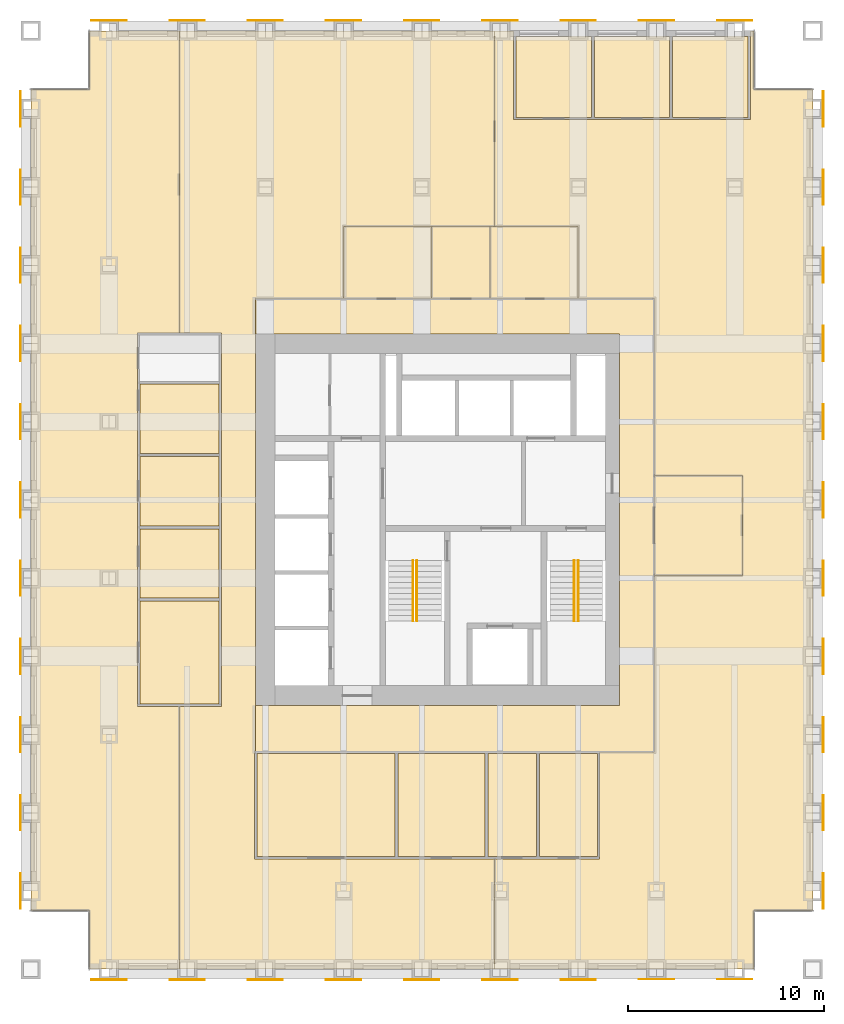
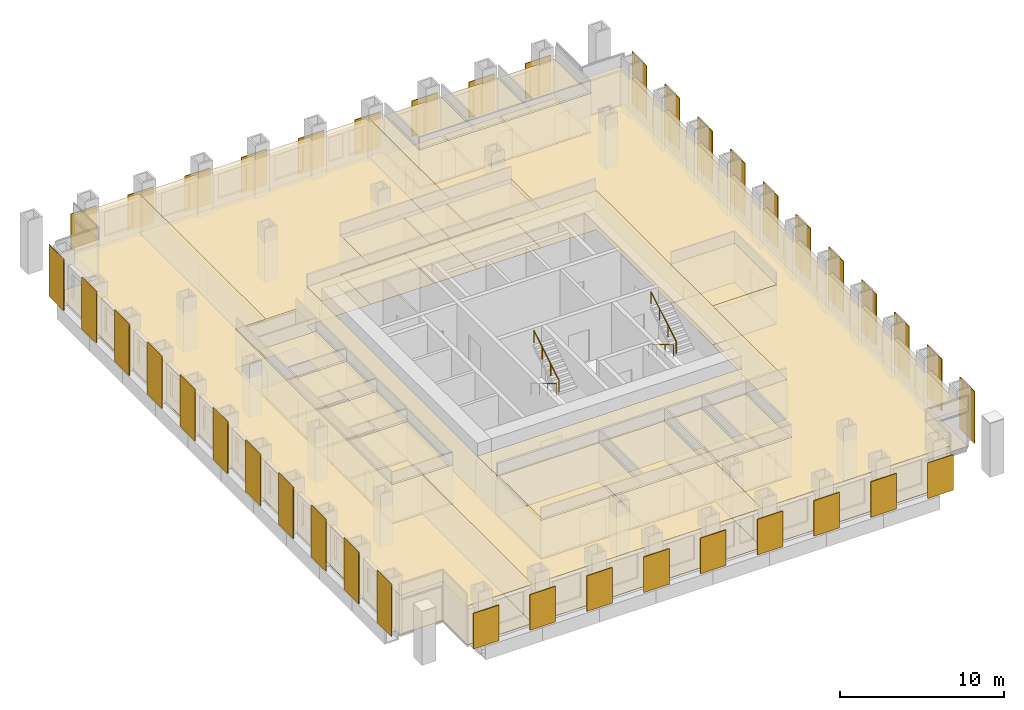
# One storey, part 12 of 12: 40 shading devices, 37 coverings, 4 railings.
"""IFC4 building model written with IfcOpenShell, lengths in metres."""

from ifc_helpers import new_model, si_unit, direction, frame, origin, origin_2d, place, context, subcontext, project, spatial, polyline, rectangle, circle, outline, extrude, material, layer, layer_set, type_object, element, save


model = new_model("IFC4")

# Units and contexts
model_context = context("Model", 3, precision=1e-05, world=origin(), true_north=direction((0.0, 1.0)))
body_context = subcontext(model_context, "Body", "Model", "MODEL_VIEW")
ifc_project = project(units=[si_unit("LENGTHUNIT", "METRE"), si_unit("AREAUNIT", "SQUARE_METRE"), si_unit("VOLUMEUNIT", "CUBIC_METRE"), si_unit("PLANEANGLEUNIT", "RADIAN"), si_unit("MASSUNIT", "GRAM", prefix="KILO")], contexts=[model_context])

# Site, building, storey
site_placement = place(None, origin())
site = spatial("IfcSite", under=ifc_project, at=site_placement, CompositionType="ELEMENT")
building_placement = place(site_placement, origin())
building = spatial("IfcBuilding", under=site, at=building_placement, Name="Rimbunsela Tower", CompositionType="ELEMENT")
storey_placement = place(building_placement, frame((0.0, 0.0, 167.800048828125)))
storey = spatial("IfcBuildingStorey", under=building, at=storey_placement, Name="L40", CompositionType="ELEMENT", Elevation=167.800048828125)

# Coverings
ifc_material_1 = material(Name="Nylon carpet tile", Category="textile")
ifc_layer_1 = layer(ifc_material_1, 0.010009765625)
ifc_layer_set_1 = layer_set([ifc_layer_1], Name="Carpet tile 10")
covering_type_1 = type_object("IfcCoveringType", Name="Carpet tile 10", PredefinedType="FLOORING", material=ifc_layer_set_1)
covering_1_placement = place(storey_placement, origin())
element("IfcCovering", 1, at=covering_1_placement, inside=storey, type_object=covering_type_1, Name="Floor finish Open office", PredefinedType="FLOORING", context=body_context, shape_type="SweptSolid", body=[
    extrude(outline(polyline([(29.72509765625, 52.0), (30.699951171875, 52.0), (30.699951171875, 47.449951171875), (34.699951171875, 47.449951171875), (34.800048828125, 47.449951171875), (37.89990234375, 47.449951171875), (38.699951171875, 47.449951171875), (38.800048828125, 47.449951171875), (42.800048828125, 47.449951171875), (42.800048828125, 52.0), (43.0, 52.0), (43.0, 49.0), (46.0, 49.0), (46.0, 7.0), (43.0, 7.0), (43.0, 4.0), (37.89990234375, 4.0), (29.72509765625, 4.0), (29.72509765625, 9.64990234375), (31.89990234375, 9.64990234375), (32.0, 9.64990234375), (35.10009765625, 9.64990234375), (35.10009765625, 15.10009765625), (37.89990234375, 15.10009765625), (37.89990234375, 24.14990234375), (42.39990234375, 24.14990234375), (42.39990234375, 29.25), (37.89990234375, 29.25), (37.89990234375, 38.300048828125), (34.0, 38.300048828125), (34.0, 42.0), (29.72509765625, 42.0), (29.72509765625, 52.0)])), origin(), (0.0, 0.0, 1.0), 0.010009765625),
])
covering_2_placement = place(storey_placement, origin())
element("IfcCovering", 2, at=covering_2_placement, inside=storey, type_object=covering_type_1, Name="Floor finish Open office", PredefinedType="FLOORING", context=body_context, shape_type="SweptSolid", body=[
    extrude(outline(polyline([(13.60009765625, 4.0), (9.0, 4.0), (9.0, 7.0), (6.0, 7.0), (6.0, 49.0), (9.0, 49.0), (9.0, 52.0), (13.60009765625, 52.0), (13.60009765625, 36.550048828125), (11.449951171875, 36.550048828125), (11.449951171875, 34.050048828125), (11.449951171875, 33.949951171875), (11.449951171875, 30.35009765625), (11.449951171875, 30.25), (11.449951171875, 26.64990234375), (11.449951171875, 26.550048828125), (11.449951171875, 22.949951171875), (11.449951171875, 22.85009765625), (11.449951171875, 17.449951171875), (13.60009765625, 17.449951171875), (13.60009765625, 4.0)])), origin(), (0.0, 0.0, 1.0), 0.010009765625),
])
covering_3_placement = place(storey_placement, origin())
element("IfcCovering", 3, at=covering_3_placement, inside=storey, type_object=covering_type_1, Name="Floor finish Open office", PredefinedType="FLOORING", context=body_context, shape_type="SweptSolid", body=[
    extrude(outline(polyline([(17.5, 4.0), (13.60009765625, 4.0), (13.60009765625, 17.449951171875), (15.75, 17.449951171875), (15.75, 22.85009765625), (15.75, 22.949951171875), (15.75, 26.550048828125), (15.75, 26.64990234375), (15.75, 30.25), (15.75, 30.35009765625), (15.75, 33.949951171875), (15.75, 34.050048828125), (15.75, 36.550048828125), (13.60009765625, 36.550048828125), (13.60009765625, 52.0), (17.5, 52.0), (29.72509765625, 52.0), (29.72509765625, 42.0), (22.0, 42.0), (22.0, 38.300048828125), (17.5, 38.300048828125), (17.5, 36.5), (17.5, 17.5), (17.5, 15.14990234375), (17.449951171875, 15.14990234375), (17.449951171875, 9.64990234375), (17.5, 9.64990234375), (24.64990234375, 9.64990234375), (24.75, 9.64990234375), (29.25, 9.64990234375), (29.35009765625, 9.64990234375), (29.72509765625, 9.64990234375), (29.72509765625, 4.0), (17.5, 4.0)])), origin(), (0.0, 0.0, 1.0), 0.010009765625),
])
covering_4_placement = place(storey_placement, origin())
element("IfcCovering", 4, at=covering_4_placement, inside=storey, type_object=covering_type_1, Name="Floor finish Reception", PredefinedType="FLOORING", context=body_context, shape_type="SweptSolid", body=[
    extrude(outline(polyline([(42.39990234375, 24.14990234375), (42.39990234375, 29.25), (37.89990234375, 29.25), (37.89990234375, 24.14990234375), (42.39990234375, 24.14990234375)])), origin(), (0.0, 0.0, 1.0), 0.010009765625),
])
covering_5_placement = place(storey_placement, origin())
element("IfcCovering", 5, at=covering_5_placement, inside=storey, type_object=covering_type_1, Name="Floor finish Executive office", PredefinedType="FLOORING", context=body_context, shape_type="SweptSolid", body=[
    extrude(outline(polyline([(34.675048828125, 47.574951171875), (34.675048828125, 51.699951171875), (30.824951171875, 51.699951171875), (30.824951171875, 47.574951171875), (34.675048828125, 47.574951171875)])), origin(), (0.0, 0.0, 1.0), 0.010009765625),
])
covering_6_placement = place(storey_placement, origin())
element("IfcCovering", 6, at=covering_6_placement, inside=storey, type_object=covering_type_1, Name="Floor finish Executive office", PredefinedType="FLOORING", context=body_context, shape_type="SweptSolid", body=[
    extrude(outline(polyline([(38.675048828125, 47.574951171875), (38.675048828125, 51.699951171875), (34.824951171875, 51.699951171875), (34.824951171875, 47.574951171875), (38.675048828125, 47.574951171875)])), origin(), (0.0, 0.0, 1.0), 0.010009765625),
])
covering_7_placement = place(storey_placement, origin())
element("IfcCovering", 7, at=covering_7_placement, inside=storey, type_object=covering_type_1, Name="Floor finish Executive office", PredefinedType="FLOORING", context=body_context, shape_type="SweptSolid", body=[
    extrude(outline(polyline([(42.675048828125, 47.574951171875), (42.675048828125, 51.699951171875), (38.824951171875, 51.699951171875), (38.824951171875, 47.574951171875), (42.675048828125, 47.574951171875)])), origin(), (0.0, 0.0, 1.0), 0.010009765625),
])
covering_8_placement = place(storey_placement, origin())
element("IfcCovering", 8, at=covering_8_placement, inside=storey, type_object=covering_type_1, Name="Floor finish Boardroom", PredefinedType="FLOORING", context=body_context, shape_type="SweptSolid", body=[
    extrude(outline(polyline([(24.625, 9.77490234375), (24.625, 15.02490234375), (17.574951171875, 15.02490234375), (17.574951171875, 9.77490234375), (24.625, 9.77490234375)])), origin(), (0.0, 0.0, 1.0), 0.010009765625),
])
covering_9_placement = place(storey_placement, origin())
element("IfcCovering", 9, at=covering_9_placement, inside=storey, type_object=covering_type_1, Name="Floor finish Pantry", PredefinedType="FLOORING", context=body_context, shape_type="SweptSolid", body=[
    extrude(outline(polyline([(29.22509765625, 9.77490234375), (29.22509765625, 15.02490234375), (24.77490234375, 15.02490234375), (24.77490234375, 9.77490234375), (29.22509765625, 9.77490234375)])), origin(), (0.0, 0.0, 1.0), 0.010009765625),
])
covering_10_placement = place(storey_placement, origin())
element("IfcCovering", 10, at=covering_10_placement, inside=storey, type_object=covering_type_1, Name="Floor finish Print and copy room", PredefinedType="FLOORING", context=body_context, shape_type="SweptSolid", body=[
    extrude(outline(polyline([(31.875, 9.77490234375), (31.875, 15.02490234375), (29.375, 15.02490234375), (29.375, 9.77490234375), (31.875, 9.77490234375)])), origin(), (0.0, 0.0, 1.0), 0.010009765625),
])
covering_11_placement = place(storey_placement, origin())
element("IfcCovering", 11, at=covering_11_placement, inside=storey, type_object=covering_type_1, Name="Floor finish Office", PredefinedType="FLOORING", context=body_context, shape_type="SweptSolid", body=[
    extrude(outline(polyline([(34.97509765625, 9.77490234375), (34.97509765625, 15.02490234375), (32.02490234375, 15.02490234375), (32.02490234375, 9.77490234375), (34.97509765625, 9.77490234375)])), origin(), (0.0, 0.0, 1.0), 0.010009765625),
])
covering_12_placement = place(storey_placement, origin())
element("IfcCovering", 12, at=covering_12_placement, inside=storey, type_object=covering_type_1, Name="Floor finish Meeting room", PredefinedType="FLOORING", context=body_context, shape_type="SweptSolid", body=[
    extrude(outline(polyline([(15.625, 17.574951171875), (15.625, 22.824951171875), (11.574951171875, 22.824951171875), (11.574951171875, 17.574951171875), (15.625, 17.574951171875)])), origin(), (0.0, 0.0, 1.0), 0.010009765625),
])
covering_13_placement = place(storey_placement, origin())
element("IfcCovering", 13, at=covering_13_placement, inside=storey, type_object=covering_type_1, Name="Floor finish Meeting room", PredefinedType="FLOORING", context=body_context, shape_type="SweptSolid", body=[
    extrude(outline(polyline([(15.625, 22.97509765625), (15.625, 26.52490234375), (11.574951171875, 26.52490234375), (11.574951171875, 22.97509765625), (15.625, 22.97509765625)])), origin(), (0.0, 0.0, 1.0), 0.010009765625),
])
covering_14_placement = place(storey_placement, origin())
element("IfcCovering", 14, at=covering_14_placement, inside=storey, type_object=covering_type_1, Name="Floor finish Meeting room", PredefinedType="FLOORING", context=body_context, shape_type="SweptSolid", body=[
    extrude(outline(polyline([(15.625, 26.675048828125), (15.625, 30.22509765625), (11.574951171875, 30.22509765625), (11.574951171875, 26.675048828125), (15.625, 26.675048828125)])), origin(), (0.0, 0.0, 1.0), 0.010009765625),
])
covering_15_placement = place(storey_placement, origin())
element("IfcCovering", 15, at=covering_15_placement, inside=storey, type_object=covering_type_1, Name="Floor finish Meeting room", PredefinedType="FLOORING", context=body_context, shape_type="SweptSolid", body=[
    extrude(outline(polyline([(15.625, 30.375), (15.625, 33.925048828125), (11.574951171875, 33.925048828125), (11.574951171875, 30.375), (15.625, 30.375)])), origin(), (0.0, 0.0, 1.0), 0.010009765625),
])
ifc_material_2 = material(Name="Mineral fibre ceiling tile", Category="gypsum")
ifc_layer_2 = layer(ifc_material_2, 0.02001953125)
ifc_layer_set_2 = layer_set([ifc_layer_2], Name="Ceiling 600 grid")
covering_type_2 = type_object("IfcCoveringType", Name="Ceiling 600 grid", PredefinedType="CEILING", material=ifc_layer_set_2)
covering_16_placement = place(storey_placement, frame((0.0, 0.0, 2.89990234375)))
element("IfcCovering", 16, at=covering_16_placement, inside=storey, type_object=covering_type_2, Name="Ceiling U-shaped corridor", PredefinedType="CEILING", context=body_context, shape_type="SweptSolid", body=[
    extrude(outline(polyline([(37.89990234375, 38.300048828125), (37.89990234375, 15.10009765625), (17.5, 15.10009765625), (17.5, 17.5), (36.10009765625, 17.5), (36.10009765625, 36.5), (17.5, 36.5), (17.5, 38.300048828125), (37.89990234375, 38.300048828125)])), origin(), (0.0, 0.0, 1.0), 0.02001953125),
])
covering_17_placement = place(storey_placement, frame((0.0, 0.0, 2.89990234375)))
element("IfcCovering", 17, at=covering_17_placement, inside=storey, type_object=covering_type_2, Name="Ceiling Open office", PredefinedType="CEILING", context=body_context, shape_type="SweptSolid", body=[
    extrude(outline(polyline([(29.72509765625, 52.0), (30.699951171875, 52.0), (30.699951171875, 47.449951171875), (34.699951171875, 47.449951171875), (34.800048828125, 47.449951171875), (37.89990234375, 47.449951171875), (38.699951171875, 47.449951171875), (38.800048828125, 47.449951171875), (42.800048828125, 47.449951171875), (42.800048828125, 52.0), (43.0, 52.0), (43.0, 49.0), (46.0, 49.0), (46.0, 7.0), (43.0, 7.0), (43.0, 4.0), (37.89990234375, 4.0), (29.72509765625, 4.0), (29.72509765625, 9.64990234375), (31.89990234375, 9.64990234375), (32.0, 9.64990234375), (35.10009765625, 9.64990234375), (35.10009765625, 15.10009765625), (37.89990234375, 15.10009765625), (37.89990234375, 24.14990234375), (42.39990234375, 24.14990234375), (42.39990234375, 29.25), (37.89990234375, 29.25), (37.89990234375, 38.300048828125), (34.0, 38.300048828125), (34.0, 42.0), (29.72509765625, 42.0), (29.72509765625, 52.0)])), origin(), (0.0, 0.0, 1.0), 0.02001953125),
])
covering_18_placement = place(storey_placement, frame((0.0, 0.0, 2.89990234375)))
element("IfcCovering", 18, at=covering_18_placement, inside=storey, type_object=covering_type_2, Name="Ceiling Open office", PredefinedType="CEILING", context=body_context, shape_type="SweptSolid", body=[
    extrude(outline(polyline([(13.60009765625, 4.0), (9.0, 4.0), (9.0, 7.0), (6.0, 7.0), (6.0, 49.0), (9.0, 49.0), (9.0, 52.0), (13.60009765625, 52.0), (13.60009765625, 36.550048828125), (11.449951171875, 36.550048828125), (11.449951171875, 34.050048828125), (11.449951171875, 33.949951171875), (11.449951171875, 30.35009765625), (11.449951171875, 30.25), (11.449951171875, 26.64990234375), (11.449951171875, 26.550048828125), (11.449951171875, 22.949951171875), (11.449951171875, 22.85009765625), (11.449951171875, 17.449951171875), (13.60009765625, 17.449951171875), (13.60009765625, 4.0)])), origin(), (0.0, 0.0, 1.0), 0.02001953125),
])
covering_19_placement = place(storey_placement, frame((0.0, 0.0, 2.89990234375)))
element("IfcCovering", 19, at=covering_19_placement, inside=storey, type_object=covering_type_2, Name="Ceiling Open office", PredefinedType="CEILING", context=body_context, shape_type="SweptSolid", body=[
    extrude(outline(polyline([(17.5, 4.0), (13.60009765625, 4.0), (13.60009765625, 17.449951171875), (15.75, 17.449951171875), (15.75, 22.85009765625), (15.75, 22.949951171875), (15.75, 26.550048828125), (15.75, 26.64990234375), (15.75, 30.25), (15.75, 30.35009765625), (15.75, 33.949951171875), (15.75, 34.050048828125), (15.75, 36.550048828125), (13.60009765625, 36.550048828125), (13.60009765625, 52.0), (17.5, 52.0), (29.72509765625, 52.0), (29.72509765625, 42.0), (22.0, 42.0), (22.0, 38.300048828125), (17.5, 38.300048828125), (17.5, 36.5), (17.5, 17.5), (17.5, 15.14990234375), (17.449951171875, 15.14990234375), (17.449951171875, 9.64990234375), (17.5, 9.64990234375), (24.64990234375, 9.64990234375), (24.75, 9.64990234375), (29.25, 9.64990234375), (29.35009765625, 9.64990234375), (29.72509765625, 9.64990234375), (29.72509765625, 4.0), (17.5, 4.0)])), origin(), (0.0, 0.0, 1.0), 0.02001953125),
])
covering_20_placement = place(storey_placement, frame((0.0, 0.0, 2.89990234375)))
element("IfcCovering", 20, at=covering_20_placement, inside=storey, type_object=covering_type_2, Name="Ceiling Reception", PredefinedType="CEILING", context=body_context, shape_type="SweptSolid", body=[
    extrude(outline(polyline([(42.39990234375, 24.14990234375), (42.39990234375, 29.25), (37.89990234375, 29.25), (37.89990234375, 24.14990234375), (42.39990234375, 24.14990234375)])), origin(), (0.0, 0.0, 1.0), 0.02001953125),
])
covering_21_placement = place(storey_placement, frame((0.0, 0.0, 2.89990234375)))
element("IfcCovering", 21, at=covering_21_placement, inside=storey, type_object=covering_type_2, Name="Ceiling Executive office", PredefinedType="CEILING", context=body_context, shape_type="SweptSolid", body=[
    extrude(outline(polyline([(34.675048828125, 47.574951171875), (34.675048828125, 51.699951171875), (30.824951171875, 51.699951171875), (30.824951171875, 47.574951171875), (34.675048828125, 47.574951171875)])), origin(), (0.0, 0.0, 1.0), 0.02001953125),
])
covering_22_placement = place(storey_placement, frame((0.0, 0.0, 2.89990234375)))
element("IfcCovering", 22, at=covering_22_placement, inside=storey, type_object=covering_type_2, Name="Ceiling Executive office", PredefinedType="CEILING", context=body_context, shape_type="SweptSolid", body=[
    extrude(outline(polyline([(38.675048828125, 47.574951171875), (38.675048828125, 51.699951171875), (34.824951171875, 51.699951171875), (34.824951171875, 47.574951171875), (38.675048828125, 47.574951171875)])), origin(), (0.0, 0.0, 1.0), 0.02001953125),
])
covering_23_placement = place(storey_placement, frame((0.0, 0.0, 2.89990234375)))
element("IfcCovering", 23, at=covering_23_placement, inside=storey, type_object=covering_type_2, Name="Ceiling Executive office", PredefinedType="CEILING", context=body_context, shape_type="SweptSolid", body=[
    extrude(outline(polyline([(42.675048828125, 47.574951171875), (42.675048828125, 51.699951171875), (38.824951171875, 51.699951171875), (38.824951171875, 47.574951171875), (42.675048828125, 47.574951171875)])), origin(), (0.0, 0.0, 1.0), 0.02001953125),
])
covering_24_placement = place(storey_placement, frame((0.0, 0.0, 2.89990234375)))
element("IfcCovering", 24, at=covering_24_placement, inside=storey, type_object=covering_type_2, Name="Ceiling Boardroom", PredefinedType="CEILING", context=body_context, shape_type="SweptSolid", body=[
    extrude(outline(polyline([(24.625, 9.77490234375), (24.625, 15.02490234375), (17.574951171875, 15.02490234375), (17.574951171875, 9.77490234375), (24.625, 9.77490234375)])), origin(), (0.0, 0.0, 1.0), 0.02001953125),
])
covering_25_placement = place(storey_placement, frame((0.0, 0.0, 2.89990234375)))
element("IfcCovering", 25, at=covering_25_placement, inside=storey, type_object=covering_type_2, Name="Ceiling Pantry", PredefinedType="CEILING", context=body_context, shape_type="SweptSolid", body=[
    extrude(outline(polyline([(29.22509765625, 9.77490234375), (29.22509765625, 15.02490234375), (24.77490234375, 15.02490234375), (24.77490234375, 9.77490234375), (29.22509765625, 9.77490234375)])), origin(), (0.0, 0.0, 1.0), 0.02001953125),
])
covering_26_placement = place(storey_placement, frame((0.0, 0.0, 2.89990234375)))
element("IfcCovering", 26, at=covering_26_placement, inside=storey, type_object=covering_type_2, Name="Ceiling Print and copy room", PredefinedType="CEILING", context=body_context, shape_type="SweptSolid", body=[
    extrude(outline(polyline([(31.875, 9.77490234375), (31.875, 15.02490234375), (29.375, 15.02490234375), (29.375, 9.77490234375), (31.875, 9.77490234375)])), origin(), (0.0, 0.0, 1.0), 0.02001953125),
])
covering_27_placement = place(storey_placement, frame((0.0, 0.0, 2.89990234375)))
element("IfcCovering", 27, at=covering_27_placement, inside=storey, type_object=covering_type_2, Name="Ceiling Office", PredefinedType="CEILING", context=body_context, shape_type="SweptSolid", body=[
    extrude(outline(polyline([(34.97509765625, 9.77490234375), (34.97509765625, 15.02490234375), (32.02490234375, 15.02490234375), (32.02490234375, 9.77490234375), (34.97509765625, 9.77490234375)])), origin(), (0.0, 0.0, 1.0), 0.02001953125),
])
covering_28_placement = place(storey_placement, frame((0.0, 0.0, 2.89990234375)))
element("IfcCovering", 28, at=covering_28_placement, inside=storey, type_object=covering_type_2, Name="Ceiling Meeting room", PredefinedType="CEILING", context=body_context, shape_type="SweptSolid", body=[
    extrude(outline(polyline([(15.625, 17.574951171875), (15.625, 22.824951171875), (11.574951171875, 22.824951171875), (11.574951171875, 17.574951171875), (15.625, 17.574951171875)])), origin(), (0.0, 0.0, 1.0), 0.02001953125),
])
covering_29_placement = place(storey_placement, frame((0.0, 0.0, 2.89990234375)))
element("IfcCovering", 29, at=covering_29_placement, inside=storey, type_object=covering_type_2, Name="Ceiling Meeting room", PredefinedType="CEILING", context=body_context, shape_type="SweptSolid", body=[
    extrude(outline(polyline([(15.625, 22.97509765625), (15.625, 26.52490234375), (11.574951171875, 26.52490234375), (11.574951171875, 22.97509765625), (15.625, 22.97509765625)])), origin(), (0.0, 0.0, 1.0), 0.02001953125),
])
covering_30_placement = place(storey_placement, frame((0.0, 0.0, 2.89990234375)))
element("IfcCovering", 30, at=covering_30_placement, inside=storey, type_object=covering_type_2, Name="Ceiling Meeting room", PredefinedType="CEILING", context=body_context, shape_type="SweptSolid", body=[
    extrude(outline(polyline([(15.625, 26.675048828125), (15.625, 30.22509765625), (11.574951171875, 30.22509765625), (11.574951171875, 26.675048828125), (15.625, 26.675048828125)])), origin(), (0.0, 0.0, 1.0), 0.02001953125),
])
covering_31_placement = place(storey_placement, frame((0.0, 0.0, 2.89990234375)))
element("IfcCovering", 31, at=covering_31_placement, inside=storey, type_object=covering_type_2, Name="Ceiling Meeting room", PredefinedType="CEILING", context=body_context, shape_type="SweptSolid", body=[
    extrude(outline(polyline([(15.625, 30.375), (15.625, 33.925048828125), (11.574951171875, 33.925048828125), (11.574951171875, 30.375), (15.625, 30.375)])), origin(), (0.0, 0.0, 1.0), 0.02001953125),
])
ifc_material_3 = material(Name="Moisture-resistant plasterboard ceiling", Category="gypsum")
ifc_layer_3 = layer(ifc_material_3, 0.012451171875)
ifc_layer_set_3 = layer_set([ifc_layer_3], Name="Ceiling moisture-resistant board")
covering_type_3 = type_object("IfcCoveringType", Name="Ceiling moisture-resistant board", PredefinedType="CEILING", material=ifc_layer_set_3)
covering_32_placement = place(storey_placement, frame((0.0, 0.0, 2.599853515625)))
element("IfcCovering", 32, at=covering_32_placement, inside=storey, type_object=covering_type_3, Name="Ceiling Female WC", PredefinedType="CEILING", context=body_context, shape_type="SweptSolid", body=[
    extrude(outline(polyline([(26.5, 38.300048828125), (26.5, 42.0), (22.0, 42.0), (22.0, 38.300048828125), (26.5, 38.300048828125)])), origin(), (0.0, 0.0, 1.0), 0.02001953125),
])
covering_33_placement = place(storey_placement, frame((0.0, 0.0, 2.599853515625)))
element("IfcCovering", 33, at=covering_33_placement, inside=storey, type_object=covering_type_3, Name="Ceiling Accessible WC", PredefinedType="CEILING", context=body_context, shape_type="SweptSolid", body=[
    extrude(outline(polyline([(29.5, 38.300048828125), (29.5, 42.0), (26.5, 42.0), (26.5, 38.300048828125), (29.5, 38.300048828125)])), origin(), (0.0, 0.0, 1.0), 0.02001953125),
])
covering_34_placement = place(storey_placement, frame((0.0, 0.0, 2.599853515625)))
element("IfcCovering", 34, at=covering_34_placement, inside=storey, type_object=covering_type_3, Name="Ceiling Male WC", PredefinedType="CEILING", context=body_context, shape_type="SweptSolid", body=[
    extrude(outline(polyline([(34.0, 38.300048828125), (34.0, 42.0), (29.5, 42.0), (29.5, 38.300048828125), (34.0, 38.300048828125)])), origin(), (0.0, 0.0, 1.0), 0.02001953125),
])
ifc_material_4 = material(Name="Porcelain floor tile in adhesive bed", Category="ceramic")
ifc_layer_4 = layer(ifc_material_4, 0.02001953125)
ifc_layer_set_4 = layer_set([ifc_layer_4], Name="Porcelain tile 20")
covering_type_4 = type_object("IfcCoveringType", Name="Porcelain tile 20", PredefinedType="FLOORING", material=ifc_layer_set_4)
covering_35_placement = place(storey_placement, origin())
element("IfcCovering", 35, at=covering_35_placement, inside=storey, type_object=covering_type_4, Name="Floor finish Female WC", PredefinedType="FLOORING", context=body_context, shape_type="SweptSolid", body=[
    extrude(outline(polyline([(26.5, 38.300048828125), (26.5, 42.0), (22.0, 42.0), (22.0, 38.300048828125), (26.5, 38.300048828125)])), origin(), (0.0, 0.0, 1.0), 0.02001953125),
])
covering_36_placement = place(storey_placement, origin())
element("IfcCovering", 36, at=covering_36_placement, inside=storey, type_object=covering_type_4, Name="Floor finish Accessible WC", PredefinedType="FLOORING", context=body_context, shape_type="SweptSolid", body=[
    extrude(outline(polyline([(29.5, 38.300048828125), (29.5, 42.0), (26.5, 42.0), (26.5, 38.300048828125), (29.5, 38.300048828125)])), origin(), (0.0, 0.0, 1.0), 0.02001953125),
])
covering_37_placement = place(storey_placement, origin())
element("IfcCovering", 37, at=covering_37_placement, inside=storey, type_object=covering_type_4, Name="Floor finish Male WC", PredefinedType="FLOORING", context=body_context, shape_type="SweptSolid", body=[
    extrude(outline(polyline([(34.0, 38.300048828125), (34.0, 42.0), (29.5, 42.0), (29.5, 38.300048828125), (34.0, 38.300048828125)])), origin(), (0.0, 0.0, 1.0), 0.02001953125),
])

# Shading devices
ifc_material_5 = material(Name="Perforated aluminium, 35 % open area", Category="aluminium")
ifc_layer_5 = layer(ifc_material_5, 0.050048828125)
ifc_layer_set_5 = layer_set([ifc_layer_5], Name="Solar screen panel 1800")
shading_device_type = type_object("IfcShadingDeviceType", Name="Solar screen panel 1800", PredefinedType="USERDEFINED", material=ifc_layer_set_5)
for number, where, z_axis, x_axis, name in (
    (38, (10.0, 3.47509765625, 0.0), (0.0, 0.0, 1.0), (1.0, 0.0, 0.0), "Solar screen S L40"),
    (39, (14.0, 3.47509765625, 0.0), (0.0, 0.0, 1.0), (1.0, 0.0, 0.0), "Solar screen S L40"),
    (40, (18.0, 3.47509765625, 0.0), (0.0, 0.0, 1.0), (1.0, 0.0, 0.0), "Solar screen S L40"),
    (41, (22.0, 3.47509765625, 0.0), (0.0, 0.0, 1.0), (1.0, 0.0, 0.0), "Solar screen S L40"),
    (42, (26.0, 3.47509765625, 0.0), (0.0, 0.0, 1.0), (1.0, 0.0, 0.0), "Solar screen S L40"),
    (43, (30.0, 3.47509765625, 0.0), (0.0, 0.0, 1.0), (1.0, 0.0, 0.0), "Solar screen S L40"),
    (44, (34.0, 3.47509765625, 0.0), (0.0, 0.0, 1.0), (1.0, 0.0, 0.0), "Solar screen S L40"),
    (45, (38.0, 3.47509765625, 0.0), (0.0, 0.0, 1.0), (1.0, 0.0, 0.0), "Solar screen S L40"),
    (46, (42.0, 3.47509765625, 0.0), (0.0, 0.0, 1.0), (1.0, 0.0, 0.0), "Solar screen S L40"),
):
    element("IfcShadingDevice", number, at=place(storey_placement, frame(where, z_axis=z_axis, x_axis=x_axis)), inside=storey, type_object=shading_device_type, Name=name, ObjectType="SCREEN", PredefinedType="USERDEFINED", context=body_context, shape_type="SweptSolid", body=[
        extrude(rectangle(XDim=1.800048828125, YDim=0.050048828125, at=origin_2d()), origin(), (0.0, 0.0, 1.0), 2.64990234375),
    ])
for number, where, z_axis, x_axis, name in (
    (47, (46.52490234375, 8.0, 0.0), (0.0, 0.0, 1.0), (0.0, 1.0, 0.0), "Solar screen E L40"),
    (48, (46.52490234375, 12.0, 0.0), (0.0, 0.0, 1.0), (0.0, 1.0, 0.0), "Solar screen E L40"),
    (49, (46.52490234375, 16.0, 0.0), (0.0, 0.0, 1.0), (0.0, 1.0, 0.0), "Solar screen E L40"),
    (50, (46.52490234375, 20.0, 0.0), (0.0, 0.0, 1.0), (0.0, 1.0, 0.0), "Solar screen E L40"),
    (51, (46.52490234375, 24.0, 0.0), (0.0, 0.0, 1.0), (0.0, 1.0, 0.0), "Solar screen E L40"),
    (52, (46.52490234375, 28.0, 0.0), (0.0, 0.0, 1.0), (0.0, 1.0, 0.0), "Solar screen E L40"),
    (53, (46.52490234375, 32.0, 0.0), (0.0, 0.0, 1.0), (0.0, 1.0, 0.0), "Solar screen E L40"),
    (54, (46.52490234375, 36.0, 0.0), (0.0, 0.0, 1.0), (0.0, 1.0, 0.0), "Solar screen E L40"),
    (55, (46.52490234375, 40.0, 0.0), (0.0, 0.0, 1.0), (0.0, 1.0, 0.0), "Solar screen E L40"),
    (56, (46.52490234375, 44.0, 0.0), (0.0, 0.0, 1.0), (0.0, 1.0, 0.0), "Solar screen E L40"),
    (57, (46.52490234375, 48.0, 0.0), (0.0, 0.0, 1.0), (0.0, 1.0, 0.0), "Solar screen E L40"),
):
    element("IfcShadingDevice", number, at=place(storey_placement, frame(where, z_axis=z_axis, x_axis=x_axis)), inside=storey, type_object=shading_device_type, Name=name, ObjectType="SCREEN", PredefinedType="USERDEFINED", context=body_context, shape_type="SweptSolid", body=[
        extrude(rectangle(XDim=1.800048828125, YDim=0.050048828125, at=origin_2d()), origin(), (0.0, 0.0, 1.0), 3.85009765625),
    ])
for number, where, z_axis, x_axis, name in (
    (58, (10.0, 52.52490234375, 0.0), (0.0, 0.0, 1.0), (1.0, 0.0, 0.0), "Solar screen N L40"),
    (59, (14.0, 52.52490234375, 0.0), (0.0, 0.0, 1.0), (1.0, 0.0, 0.0), "Solar screen N L40"),
    (60, (18.0, 52.52490234375, 0.0), (0.0, 0.0, 1.0), (1.0, 0.0, 0.0), "Solar screen N L40"),
    (61, (22.0, 52.52490234375, 0.0), (0.0, 0.0, 1.0), (1.0, 0.0, 0.0), "Solar screen N L40"),
    (62, (26.0, 52.52490234375, 0.0), (0.0, 0.0, 1.0), (1.0, 0.0, 0.0), "Solar screen N L40"),
    (63, (30.0, 52.52490234375, 0.0), (0.0, 0.0, 1.0), (1.0, 0.0, 0.0), "Solar screen N L40"),
    (64, (34.0, 52.52490234375, 0.0), (0.0, 0.0, 1.0), (1.0, 0.0, 0.0), "Solar screen N L40"),
    (65, (38.0, 52.52490234375, 0.0), (0.0, 0.0, 1.0), (1.0, 0.0, 0.0), "Solar screen N L40"),
    (66, (42.0, 52.52490234375, 0.0), (0.0, 0.0, 1.0), (1.0, 0.0, 0.0), "Solar screen N L40"),
):
    element("IfcShadingDevice", number, at=place(storey_placement, frame(where, z_axis=z_axis, x_axis=x_axis)), inside=storey, type_object=shading_device_type, Name=name, ObjectType="SCREEN", PredefinedType="USERDEFINED", context=body_context, shape_type="SweptSolid", body=[
        extrude(rectangle(XDim=1.800048828125, YDim=0.050048828125, at=origin_2d()), origin(), (0.0, 0.0, 1.0), 2.64990234375),
    ])
for number, where, z_axis, x_axis, name in (
    (67, (5.47509765625, 8.0, 0.0), (0.0, 0.0, 1.0), (0.0, 1.0, 0.0), "Solar screen W L40"),
    (68, (5.47509765625, 12.0, 0.0), (0.0, 0.0, 1.0), (0.0, 1.0, 0.0), "Solar screen W L40"),
    (69, (5.47509765625, 16.0, 0.0), (0.0, 0.0, 1.0), (0.0, 1.0, 0.0), "Solar screen W L40"),
    (70, (5.47509765625, 20.0, 0.0), (0.0, 0.0, 1.0), (0.0, 1.0, 0.0), "Solar screen W L40"),
    (71, (5.47509765625, 24.0, 0.0), (0.0, 0.0, 1.0), (0.0, 1.0, 0.0), "Solar screen W L40"),
    (72, (5.47509765625, 28.0, 0.0), (0.0, 0.0, 1.0), (0.0, 1.0, 0.0), "Solar screen W L40"),
    (73, (5.47509765625, 32.0, 0.0), (0.0, 0.0, 1.0), (0.0, 1.0, 0.0), "Solar screen W L40"),
    (74, (5.47509765625, 36.0, 0.0), (0.0, 0.0, 1.0), (0.0, 1.0, 0.0), "Solar screen W L40"),
    (75, (5.47509765625, 40.0, 0.0), (0.0, 0.0, 1.0), (0.0, 1.0, 0.0), "Solar screen W L40"),
    (76, (5.47509765625, 44.0, 0.0), (0.0, 0.0, 1.0), (0.0, 1.0, 0.0), "Solar screen W L40"),
    (77, (5.47509765625, 48.0, 0.0), (0.0, 0.0, 1.0), (0.0, 1.0, 0.0), "Solar screen W L40"),
):
    element("IfcShadingDevice", number, at=place(storey_placement, frame(where, z_axis=z_axis, x_axis=x_axis)), inside=storey, type_object=shading_device_type, Name=name, ObjectType="SCREEN", PredefinedType="USERDEFINED", context=body_context, shape_type="SweptSolid", body=[
        extrude(rectangle(XDim=1.800048828125, YDim=0.050048828125, at=origin_2d()), origin(), (0.0, 0.0, 1.0), 3.85009765625),
    ])

# Railings
ifc_material_6 = material(Name="Stainless steel tube", Category="steel")
railing_type = type_object("IfcRailingType", Name="Stair handrail 900", PredefinedType="HANDRAIL", material=ifc_material_6)
railing_1_placement = place(storey_placement, frame((25.550048828125, 24.89990234375, 0.16650390625)))
element("IfcRailing", 78, at=railing_1_placement, inside=storey, type_object=railing_type, Name="Handrail ST-A flight 1", PredefinedType="HANDRAIL", context=body_context, shape_type="SweptSolid", body=[
    extrude(circle(Radius=0.02392578125, at=origin_2d()), frame((0.0, 0.0, 0.8759765625), z_axis=(0.0, -0.859260807169, 0.511537745687), x_axis=(1.0, 0.0, 0.0)), (0.0, 0.0, 1.0), 3.584228515625),
    extrude(circle(Radius=0.02099609375, at=origin_2d()), origin(), (0.0, 0.0, 1.0), 0.851806640625),
    extrude(circle(Radius=0.02099609375, at=origin_2d()), frame((0.0, -1.026611328125, 0.611083984375)), (0.0, 0.0, 1.0), 0.851806640625),
    extrude(circle(Radius=0.02099609375, at=origin_2d()), frame((0.0, -2.05322265625, 1.222412109375)), (0.0, 0.0, 1.0), 0.851806640625),
    extrude(circle(Radius=0.02099609375, at=origin_2d()), frame((0.0, -3.079833984375, 1.83349609375)), (0.0, 0.0, 1.0), 0.851806640625),
])
railing_2_placement = place(storey_placement, frame((25.75, 21.820068359375, 2.16650390625)))
element("IfcRailing", 79, at=railing_2_placement, inside=storey, type_object=railing_type, Name="Handrail ST-A flight 2", PredefinedType="HANDRAIL", context=body_context, shape_type="SweptSolid", body=[
    extrude(circle(Radius=0.02392578125, at=origin_2d()), frame((0.0, 0.0, 0.8759765625), z_axis=(0.0, 0.859260807169, 0.511537745687), x_axis=(-1.0, 0.0, 0.0)), (0.0, 0.0, 1.0), 3.584228515625),
    extrude(circle(Radius=0.02099609375, at=origin_2d()), origin(), (0.0, 0.0, 1.0), 0.851806640625),
    extrude(circle(Radius=0.02099609375, at=origin_2d()), frame((0.0, 1.026611328125, 0.611083984375)), (0.0, 0.0, 1.0), 0.851806640625),
    extrude(circle(Radius=0.02099609375, at=origin_2d()), frame((0.0, 2.05322265625, 1.222412109375)), (0.0, 0.0, 1.0), 0.851806640625),
    extrude(circle(Radius=0.02099609375, at=origin_2d()), frame((0.0, 3.079833984375, 1.83349609375)), (0.0, 0.0, 1.0), 0.851806640625),
])
railing_3_placement = place(storey_placement, frame((33.800048828125, 24.89990234375, 0.16650390625)))
element("IfcRailing", 80, at=railing_3_placement, inside=storey, type_object=railing_type, Name="Handrail ST-B flight 1", PredefinedType="HANDRAIL", context=body_context, shape_type="SweptSolid", body=[
    extrude(circle(Radius=0.02392578125, at=origin_2d()), frame((0.0, 0.0, 0.8759765625), z_axis=(0.0, -0.859260807169, 0.511537745687), x_axis=(1.0, 0.0, 0.0)), (0.0, 0.0, 1.0), 3.584228515625),
    extrude(circle(Radius=0.02099609375, at=origin_2d()), origin(), (0.0, 0.0, 1.0), 0.851806640625),
    extrude(circle(Radius=0.02099609375, at=origin_2d()), frame((0.0, -1.026611328125, 0.611083984375)), (0.0, 0.0, 1.0), 0.851806640625),
    extrude(circle(Radius=0.02099609375, at=origin_2d()), frame((0.0, -2.05322265625, 1.222412109375)), (0.0, 0.0, 1.0), 0.851806640625),
    extrude(circle(Radius=0.02099609375, at=origin_2d()), frame((0.0, -3.079833984375, 1.83349609375)), (0.0, 0.0, 1.0), 0.851806640625),
])
railing_4_placement = place(storey_placement, frame((34.0, 21.820068359375, 2.16650390625)))
element("IfcRailing", 81, at=railing_4_placement, inside=storey, type_object=railing_type, Name="Handrail ST-B flight 2", PredefinedType="HANDRAIL", context=body_context, shape_type="SweptSolid", body=[
    extrude(circle(Radius=0.02392578125, at=origin_2d()), frame((0.0, 0.0, 0.8759765625), z_axis=(0.0, 0.859260807169, 0.511537745687), x_axis=(-1.0, 0.0, 0.0)), (0.0, 0.0, 1.0), 3.584228515625),
    extrude(circle(Radius=0.02099609375, at=origin_2d()), origin(), (0.0, 0.0, 1.0), 0.851806640625),
    extrude(circle(Radius=0.02099609375, at=origin_2d()), frame((0.0, 1.026611328125, 0.611083984375)), (0.0, 0.0, 1.0), 0.851806640625),
    extrude(circle(Radius=0.02099609375, at=origin_2d()), frame((0.0, 2.05322265625, 1.222412109375)), (0.0, 0.0, 1.0), 0.851806640625),
    extrude(circle(Radius=0.02099609375, at=origin_2d()), frame((0.0, 3.079833984375, 1.83349609375)), (0.0, 0.0, 1.0), 0.851806640625),
])

save(model, "model.ifc")
